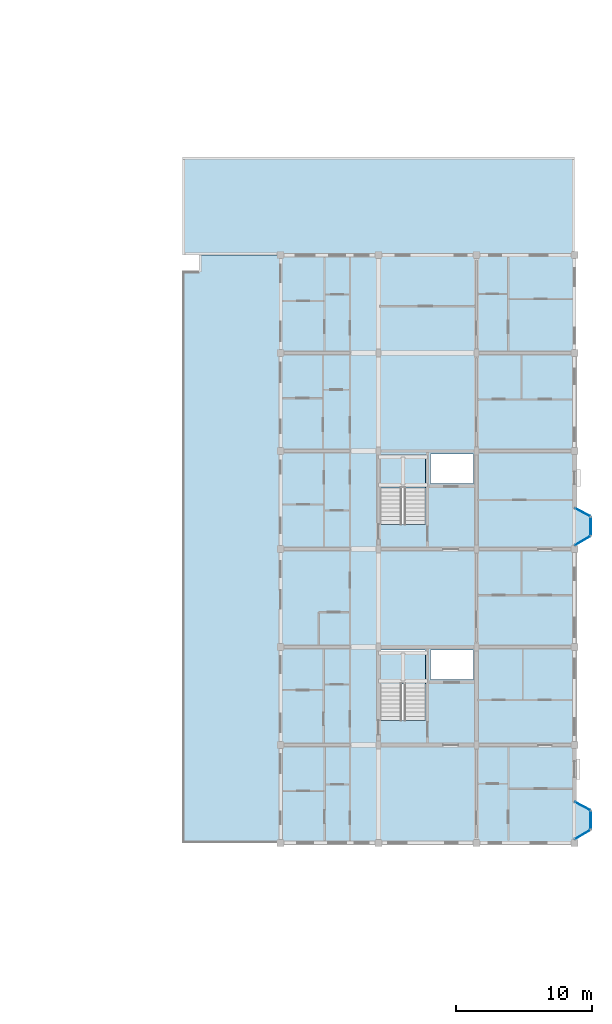
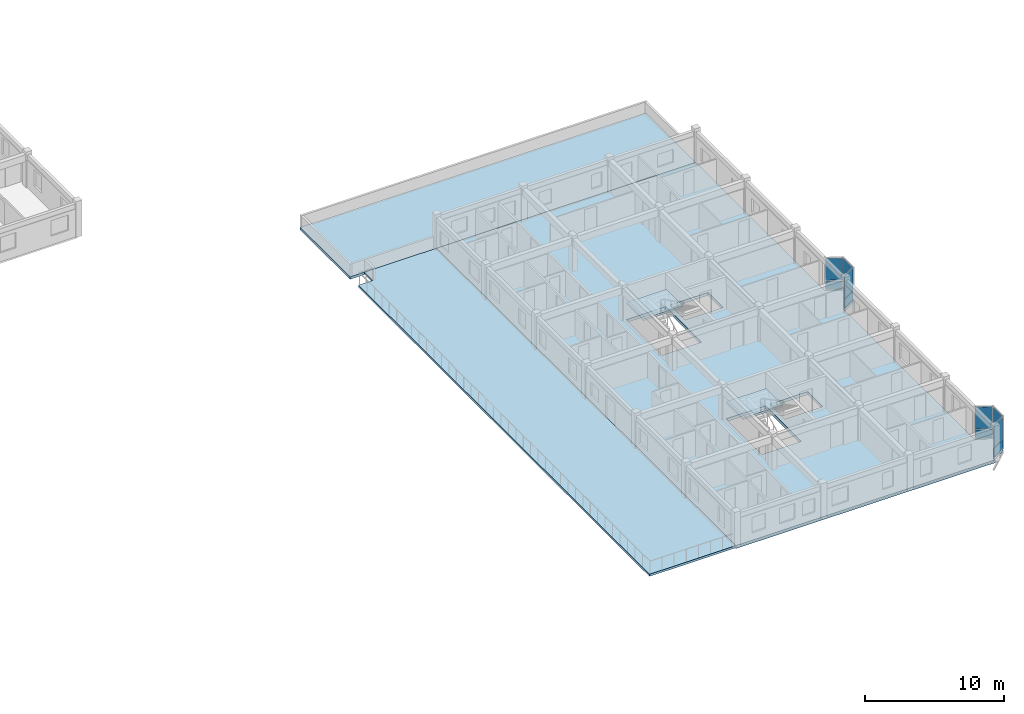
# One storey, part 44 of 70: 12 plates, 5 slabs, 8 elements without a shape of their own.
"""IFC4 building model written with IfcOpenShell, lengths in metres."""

from ifc_helpers import new_model, si_unit, direction, frame, origin, origin_2d, place, context, subcontext, project, spatial, polyline, rectangle, outline, extrude, material, layer, layer_set, type_object, element, aggregate, save


model = new_model("IFC4")

# Units and contexts
model_context = context("Model", 3, precision=1e-05, world=origin(), true_north=direction((0.0, 1.0)))
body_context = subcontext(model_context, "Body", "Model", "MODEL_VIEW")
ifc_project = project(units=[si_unit("LENGTHUNIT", "METRE"), si_unit("AREAUNIT", "SQUARE_METRE"), si_unit("VOLUMEUNIT", "CUBIC_METRE"), si_unit("PLANEANGLEUNIT", "RADIAN"), si_unit("MASSUNIT", "GRAM", prefix="KILO"), si_unit("THERMODYNAMICTEMPERATUREUNIT", "KELVIN"), si_unit("POWERUNIT", "WATT")], contexts=[model_context])

# Site, building, storey
site_placement = place(None, origin())
site = spatial("IfcSite", under=ifc_project, at=site_placement, CompositionType="ELEMENT")
building_placement = place(site_placement, origin())
building = spatial("IfcBuilding", under=site, at=building_placement, Name="Tavuni Mirador Residences", CompositionType="ELEMENT")
storey_placement = place(building_placement, frame((0.0, 0.0, 23.39990234375)))
storey = spatial("IfcBuildingStorey", under=building, at=storey_placement, Name="L07", CompositionType="ELEMENT", Elevation=23.39990234375)

# Curtain wall, plate
ifc_material_1 = material(Name="Anodised aluminium", Category="aluminium")
ifc_layer_1 = layer(ifc_material_1, 0.1650390625, Name="Anodised aluminium", Category="aluminium")
ifc_layer_set_1 = layer_set([ifc_layer_1], Name="Anodised aluminium")
curtain_wall_type_1 = type_object("IfcCurtainWallType", Name="CWT-MIR-A", PredefinedType="NOTDEFINED", material=ifc_layer_set_1)
curtain_wall_1_placement = place(storey_placement, origin())
curtain_wall_1 = element("IfcCurtainWall", 1, at=curtain_wall_1_placement, inside=storey, type_object=curtain_wall_type_1, Name="CW-MIR-D-E1-L07-M1", PredefinedType="NOTDEFINED")
ifc_material_2 = material(Name="Laminated solar-control glass", Category="glass")
ifc_layer_2 = layer(ifc_material_2, 0.02392578125, Name="Laminated solar-control glass", Category="glass")
ifc_layer_set_2 = layer_set([ifc_layer_2], Name="Laminated solar-control glass")
plate_type_1 = type_object("IfcPlateType", Name="CWP-GL24", PredefinedType="CURTAIN_PANEL", material=ifc_layer_set_2)
plate_1_placement = place(storey_placement, frame((119.39990234375, 87.0048828125, 0.8798828125), z_axis=(0.0, 0.0, 1.0), x_axis=(0.860640830284, 0.509212491254, 0.0)))
plate_1 = element("IfcPlate", 2, at=plate_1_placement, type_object=plate_type_1, Name="CW-01 panel 1.2", PredefinedType="CURTAIN_PANEL", context=body_context, shape_type="SweptSolid", body=[
    extrude(rectangle(XDim=1.2744140625, YDim=0.02392578125, at=origin_2d()), origin(), (0.0, 0.0, 1.0), 1.949951171875),
])

curtain_wall_2_placement = place(storey_placement, origin())
curtain_wall_2 = element("IfcCurtainWall", 3, at=curtain_wall_2_placement, inside=storey, type_object=curtain_wall_type_1, Name="CW-MIR-D-E2-L07-MF", PredefinedType="NOTDEFINED")
plate_2_placement = place(storey_placement, frame((120.0, 109.669921875, 0.8798828125), z_axis=(0.0, 0.0, 1.0), x_axis=(0.0, 1.0, 0.0)))
plate_2 = element("IfcPlate", 4, at=plate_2_placement, type_object=plate_type_1, Name="CW-01 panel 1.2", PredefinedType="CURTAIN_PANEL", context=body_context, shape_type="SweptSolid", body=[
    extrude(rectangle(XDim=1.300048828125, YDim=0.02392578125, at=origin_2d()), origin(), (0.0, 0.0, 1.0), 1.949951171875),
])

ifc_layer_3 = layer(ifc_material_1, 0.14990234375, Name="Anodised aluminium", Category="aluminium")
ifc_layer_set_3 = layer_set([ifc_layer_3], Name="Anodised aluminium")
curtain_wall_type_2 = type_object("IfcCurtainWallType", Name="CWT-MIR-B", PredefinedType="NOTDEFINED", material=ifc_layer_set_3)
curtain_wall_3_placement = place(storey_placement, origin())
curtain_wall_3 = element("IfcCurtainWall", 5, at=curtain_wall_3_placement, inside=storey, type_object=curtain_wall_type_2, Name="CW-MIR-D-E1-L07-MF", PredefinedType="NOTDEFINED")
ifc_layer_4 = layer(ifc_material_2, 0.028076171875, Name="Laminated solar-control glass", Category="glass")
ifc_layer_set_4 = layer_set([ifc_layer_4], Name="Laminated solar-control glass")
plate_type_2 = type_object("IfcPlateType", Name="CWP-GL28", PredefinedType="CURTAIN_PANEL", material=ifc_layer_set_4)
plate_3_placement = place(storey_placement, frame((120.0, 88.070068359375, 0.882568359375), z_axis=(0.0, 0.0, 1.0), x_axis=(0.0, 1.0, 0.0)))
plate_3 = element("IfcPlate", 6, at=plate_3_placement, type_object=plate_type_2, Name="CW-02 panel 1.2", PredefinedType="CURTAIN_PANEL", context=body_context, shape_type="SweptSolid", body=[
    extrude(rectangle(XDim=1.2900390625, YDim=0.028076171875, at=origin_2d()), origin(), (0.0, 0.0, 1.0), 1.9423828125),
])

curtain_wall_4_placement = place(storey_placement, origin())
curtain_wall_4 = element("IfcCurtainWall", 7, at=curtain_wall_4_placement, inside=storey, type_object=curtain_wall_type_2, Name="CW-MIR-D-E2-L07-M2", PredefinedType="NOTDEFINED")
plate_4_placement = place(storey_placement, frame((119.39990234375, 110.699951171875, 0.882568359375), z_axis=(0.0, 0.0, 1.0), x_axis=(-0.882352941175, 0.470588235296, 0.0)))
plate_4 = element("IfcPlate", 8, at=plate_4_placement, type_object=plate_type_2, Name="CW-02 panel 1.2", PredefinedType="CURTAIN_PANEL", context=body_context, shape_type="SweptSolid", body=[
    extrude(rectangle(XDim=1.22998046875, YDim=0.028076171875, at=origin_2d()), origin(), (0.0, 0.0, 1.0), 1.9423828125),
])

ifc_layer_5 = layer(ifc_material_1, 0.175048828125, Name="Anodised aluminium", Category="aluminium")
ifc_layer_set_5 = layer_set([ifc_layer_5], Name="Anodised aluminium")
curtain_wall_type_3 = type_object("IfcCurtainWallType", Name="CWT-MIR-C", PredefinedType="NOTDEFINED", material=ifc_layer_set_5)
curtain_wall_5_placement = place(storey_placement, origin())
curtain_wall_5 = element("IfcCurtainWall", 9, at=curtain_wall_5_placement, inside=storey, type_object=curtain_wall_type_3, Name="CW-MIR-D-E1-L07-M2", PredefinedType="NOTDEFINED")
ifc_layer_6 = layer(ifc_material_2, 0.031982421875, Name="Laminated solar-control glass", Category="glass")
ifc_layer_set_6 = layer_set([ifc_layer_6], Name="Laminated solar-control glass")
plate_type_3 = type_object("IfcPlateType", Name="CWP-GL32", PredefinedType="CURTAIN_PANEL", material=ifc_layer_set_6)
plate_5_placement = place(storey_placement, frame((119.39990234375, 89.10009765625, 0.8798828125), z_axis=(0.0, 0.0, 1.0), x_axis=(-0.882352941175, 0.470588235296, 0.0)))
plate_5 = element("IfcPlate", 10, at=plate_5_placement, type_object=plate_type_3, Name="CW-03 panel 1.2", PredefinedType="CURTAIN_PANEL", context=body_context, shape_type="SweptSolid", body=[
    extrude(rectangle(XDim=1.239990234375, YDim=0.031982421875, at=origin_2d()), origin(), (0.0, 0.0, 1.0), 1.949951171875),
])

ifc_layer_7 = layer(ifc_material_1, 0.159912109375, Name="Anodised aluminium", Category="aluminium")
ifc_layer_set_7 = layer_set([ifc_layer_7], Name="Anodised aluminium")
curtain_wall_type_4 = type_object("IfcCurtainWallType", Name="CWT-MIR-D", PredefinedType="NOTDEFINED", material=ifc_layer_set_7)
curtain_wall_6_placement = place(storey_placement, origin())
curtain_wall_6 = element("IfcCurtainWall", 11, at=curtain_wall_6_placement, inside=storey, type_object=curtain_wall_type_4, Name="CW-MIR-D-E2-L07-M1", PredefinedType="NOTDEFINED")
ifc_layer_8 = layer(ifc_material_2, 0.035888671875, Name="Laminated solar-control glass", Category="glass")
ifc_layer_set_8 = layer_set([ifc_layer_8], Name="Laminated solar-control glass")
plate_type_4 = type_object("IfcPlateType", Name="CWP-GL36", PredefinedType="CURTAIN_PANEL", material=ifc_layer_set_8)
plate_6_placement = place(storey_placement, frame((119.39990234375, 108.60498046875, 0.882568359375), z_axis=(0.0, 0.0, 1.0), x_axis=(0.860640830284, 0.509212491254, 0.0)))
plate_6 = element("IfcPlate", 12, at=plate_6_placement, type_object=plate_type_4, Name="CW-04 panel 1.2", PredefinedType="CURTAIN_PANEL", context=body_context, shape_type="SweptSolid", body=[
    extrude(rectangle(XDim=1.264404296875, YDim=0.035888671875, at=origin_2d()), origin(), (0.0, 0.0, 1.0), 1.9423828125),
])

# Plate
ifc_material_3 = material(Name="Ceramic trencadis mosaic panel", Category="masonry")
ifc_layer_9 = layer(ifc_material_3, 0.0419921875, Name="Ceramic trencadis mosaic panel", Category="masonry")
ifc_layer_set_9 = layer_set([ifc_layer_9], Name="Ceramic trencadis mosaic panel")
plate_type_5 = type_object("IfcPlateType", Name="CWP-SP42", PredefinedType="CURTAIN_PANEL", material=ifc_layer_set_9)
plate_7_placement = place(storey_placement, frame((119.39990234375, 87.0048828125, 0.06005859375), z_axis=(0.0, 0.0, 1.0), x_axis=(0.860640830284, 0.509212491254, 0.0)))
plate_7 = element("IfcPlate", 13, at=plate_7_placement, type_object=plate_type_5, Name="CW-01 panel 1.1", PredefinedType="CURTAIN_PANEL", context=body_context, shape_type="SweptSolid", body=[
    extrude(rectangle(XDim=1.2744140625, YDim=0.0419921875, at=origin_2d()), origin(), (0.0, 0.0, 1.0), 0.760009765625),
])

aggregate(curtain_wall_1, [plate_7, plate_1])

plate_8_placement = place(storey_placement, frame((119.39990234375, 89.10009765625, 0.06005859375), z_axis=(0.0, 0.0, 1.0), x_axis=(-0.882352941175, 0.470588235296, 0.0)))
plate_8 = element("IfcPlate", 14, at=plate_8_placement, type_object=plate_type_5, Name="CW-03 panel 1.1", PredefinedType="CURTAIN_PANEL", context=body_context, shape_type="SweptSolid", body=[
    extrude(rectangle(XDim=1.239990234375, YDim=0.0419921875, at=origin_2d()), origin(), (0.0, 0.0, 1.0), 0.760009765625),
])

aggregate(curtain_wall_5, [plate_8, plate_5])

plate_9_placement = place(storey_placement, frame((120.0, 109.669921875, 0.06005859375), z_axis=(0.0, 0.0, 1.0), x_axis=(0.0, 1.0, 0.0)))
plate_9 = element("IfcPlate", 15, at=plate_9_placement, type_object=plate_type_5, Name="CW-01 panel 1.1", PredefinedType="CURTAIN_PANEL", context=body_context, shape_type="SweptSolid", body=[
    extrude(rectangle(XDim=1.300048828125, YDim=0.0419921875, at=origin_2d()), origin(), (0.0, 0.0, 1.0), 0.760009765625),
])

aggregate(curtain_wall_2, [plate_9, plate_2])

ifc_layer_10 = layer(ifc_material_3, 0.048095703125, Name="Ceramic trencadis mosaic panel", Category="masonry")
ifc_layer_set_10 = layer_set([ifc_layer_10], Name="Ceramic trencadis mosaic panel")
plate_type_6 = type_object("IfcPlateType", Name="CWP-SP48", PredefinedType="CURTAIN_PANEL", material=ifc_layer_set_10)
plate_10_placement = place(storey_placement, frame((120.0, 88.070068359375, 0.065185546875), z_axis=(0.0, 0.0, 1.0), x_axis=(0.0, 1.0, 0.0)))
plate_10 = element("IfcPlate", 16, at=plate_10_placement, type_object=plate_type_6, Name="CW-02 panel 1.1", PredefinedType="CURTAIN_PANEL", context=body_context, shape_type="SweptSolid", body=[
    extrude(rectangle(XDim=1.2900390625, YDim=0.048095703125, at=origin_2d()), origin(), (0.0, 0.0, 1.0), 0.75244140625),
])

aggregate(curtain_wall_3, [plate_10, plate_3])

plate_11_placement = place(storey_placement, frame((119.39990234375, 108.60498046875, 0.065185546875), z_axis=(0.0, 0.0, 1.0), x_axis=(0.860640830284, 0.509212491254, 0.0)))
plate_11 = element("IfcPlate", 17, at=plate_11_placement, type_object=plate_type_6, Name="CW-04 panel 1.1", PredefinedType="CURTAIN_PANEL", context=body_context, shape_type="SweptSolid", body=[
    extrude(rectangle(XDim=1.264404296875, YDim=0.048095703125, at=origin_2d()), origin(), (0.0, 0.0, 1.0), 0.75244140625),
])

aggregate(curtain_wall_6, [plate_11, plate_6])

plate_12_placement = place(storey_placement, frame((119.39990234375, 110.699951171875, 0.065185546875), z_axis=(0.0, 0.0, 1.0), x_axis=(-0.882352941175, 0.470588235296, 0.0)))
plate_12 = element("IfcPlate", 18, at=plate_12_placement, type_object=plate_type_6, Name="CW-02 panel 1.1", PredefinedType="CURTAIN_PANEL", context=body_context, shape_type="SweptSolid", body=[
    extrude(rectangle(XDim=1.22998046875, YDim=0.048095703125, at=origin_2d()), origin(), (0.0, 0.0, 1.0), 0.75244140625),
])

aggregate(curtain_wall_4, [plate_12, plate_4])

# Slab
ifc_material_4 = material(Name="Prestressed concrete C45/55", Category="concrete")
ifc_layer_11 = layer(ifc_material_4, 0.260009765625, Name="Prestressed concrete C45/55", Category="concrete")
ifc_layer_set_11 = layer_set([ifc_layer_11], Name="Prestressed concrete C45/55")
slab_type_1 = type_object("IfcSlabType", Name="SLT-FLR260", PredefinedType="FLOOR", material=ifc_layer_set_11)
slab_1_placement = place(storey_placement, frame((0.0, 0.0, -0.260009765625)))
element("IfcSlab", 19, at=slab_1_placement, inside=storey, type_object=slab_type_1, Name="SLB-BLK-D-L07", PredefinedType="FLOOR", context=body_context, shape_type="SweptSolid", body=[
    extrude(outline(polyline([(97.199951171875, 86.39990234375), (118.800048828125, 86.39990234375), (118.800048828125, 86.64990234375), (120.0, 87.360107421875), (120.0, 88.780029296875), (118.800048828125, 89.419921875), (118.800048828125, 108.25), (120.0, 108.9599609375), (120.0, 110.3798828125), (118.800048828125, 111.02001953125), (118.800048828125, 129.60009765625), (97.199951171875, 129.60009765625), (97.199951171875, 86.39990234375)]), holes=[polyline([(104.56005859375, 95.407958984375), (107.840087890625, 95.407958984375), (107.840087890625, 100.56005859375), (104.56005859375, 100.56005859375), (104.56005859375, 95.407958984375)]), polyline([(108.219970703125, 98.419921875), (111.3798828125, 98.419921875), (111.3798828125, 100.580078125), (108.219970703125, 100.580078125), (108.219970703125, 98.419921875)]), polyline([(104.56005859375, 109.80810546875), (107.840087890625, 109.80810546875), (107.840087890625, 114.9599609375), (104.56005859375, 114.9599609375), (104.56005859375, 109.80810546875)]), polyline([(108.219970703125, 112.820068359375), (111.3798828125, 112.820068359375), (111.3798828125, 114.97998046875), (108.219970703125, 114.97998046875), (108.219970703125, 112.820068359375)])]), origin(), (0.0, 0.0, 1.0), 0.260009765625),
])

# Stair, slab
ifc_material_5 = material(Name="Precast concrete C40/50", Category="concrete")
stair_type = type_object("IfcStairType", Name="STT-TYP", PredefinedType="HALF_TURN_STAIR", material=ifc_material_5)
stair_1_placement = place(storey_placement, origin())
stair_1 = element("IfcStair", 20, at=stair_1_placement, inside=storey, type_object=stair_type, Name="Protected exit stair ST7 (L07)", PredefinedType="HALF_TURN_STAIR")
ifc_layer_12 = layer(ifc_material_5, 0.179931640625, Name="Precast concrete C40/50", Category="concrete")
ifc_layer_set_12 = layer_set([ifc_layer_12], Name="Precast concrete C40/50")
slab_type_2 = type_object("IfcSlabType", Name="SLT-LND180", PredefinedType="LANDING", material=ifc_layer_set_12)
slab_2_placement = place(storey_placement, frame((0.0, 0.0, 1.39501953125)))
slab_2 = element("IfcSlab", 21, at=slab_2_placement, type_object=slab_type_2, Name="ST7 landing 1", PredefinedType="LANDING", context=body_context, shape_type="SweptSolid", body=[
    extrude(outline(polyline([(104.5400390625, 98.092041015625), (107.860107421875, 98.092041015625), (107.860107421875, 100.5), (104.5400390625, 100.5), (104.5400390625, 98.092041015625)])), origin(), (0.0, 0.0, 1.0), 0.18017578125),
])
aggregate(stair_1, [slab_2])

stair_2_placement = place(storey_placement, origin())
stair_2 = element("IfcStair", 22, at=stair_2_placement, inside=storey, type_object=stair_type, Name="Protected exit stair ST8 (L07)", PredefinedType="HALF_TURN_STAIR")
slab_3_placement = place(storey_placement, frame((0.0, 0.0, 1.39501953125)))
slab_3 = element("IfcSlab", 23, at=slab_3_placement, type_object=slab_type_2, Name="ST8 landing 1", PredefinedType="LANDING", context=body_context, shape_type="SweptSolid", body=[
    extrude(outline(polyline([(104.5400390625, 112.491943359375), (107.860107421875, 112.491943359375), (107.860107421875, 114.89990234375), (104.5400390625, 114.89990234375), (104.5400390625, 112.491943359375)])), origin(), (0.0, 0.0, 1.0), 0.18017578125),
])
aggregate(stair_2, [slab_3])

# Slabs
ifc_layer_13 = layer(ifc_material_5, 0.22998046875, Name="Precast concrete C40/50", Category="concrete")
ifc_layer_set_13 = layer_set([ifc_layer_13], Name="Precast concrete C40/50")
slab_type_3 = type_object("IfcSlabType", Name="SLT-RF230", PredefinedType="ROOF", material=ifc_layer_set_13)
slab_4_placement = place(storey_placement, frame((0.0, 0.0, -0.22998046875)))
element("IfcSlab", 24, at=slab_4_placement, inside=storey, type_object=slab_type_3, Name="Setback roof ROOF-D-L07-N", PredefinedType="ROOF", context=body_context, shape_type="SweptSolid", body=[
    extrude(outline(polyline([(90.0, 129.60009765625), (118.800048828125, 129.60009765625), (118.800048828125, 136.800048828125), (90.0, 136.800048828125), (90.0, 129.60009765625)])), origin(), (0.0, 0.0, 1.0), 0.22998046875),
])
ifc_layer_14 = layer(ifc_material_4, 0.18994140625, Name="Prestressed concrete C45/55", Category="concrete")
ifc_layer_set_14 = layer_set([ifc_layer_14], Name="Prestressed concrete C45/55")
slab_type_4 = type_object("IfcSlabType", Name="SLT-TER190", PredefinedType="FLOOR", material=ifc_layer_set_14)
slab_5_placement = place(storey_placement, frame((0.0, 0.0, -0.18994140625)))
element("IfcSlab", 25, at=slab_5_placement, inside=storey, type_object=slab_type_4, Name="Roof terrace TER-D-L07", PredefinedType="FLOOR", context=body_context, shape_type="SweptSolid", body=[
    extrude(outline(polyline([(90.0, 86.39990234375), (97.199951171875, 86.39990234375), (97.199951171875, 129.60009765625), (91.199951171875, 129.60009765625), (91.199951171875, 128.39990234375), (90.0, 128.39990234375), (90.0, 86.39990234375)])), origin(), (0.0, 0.0, 1.0), 0.18994140625),
])

save(model, "model.ifc")
